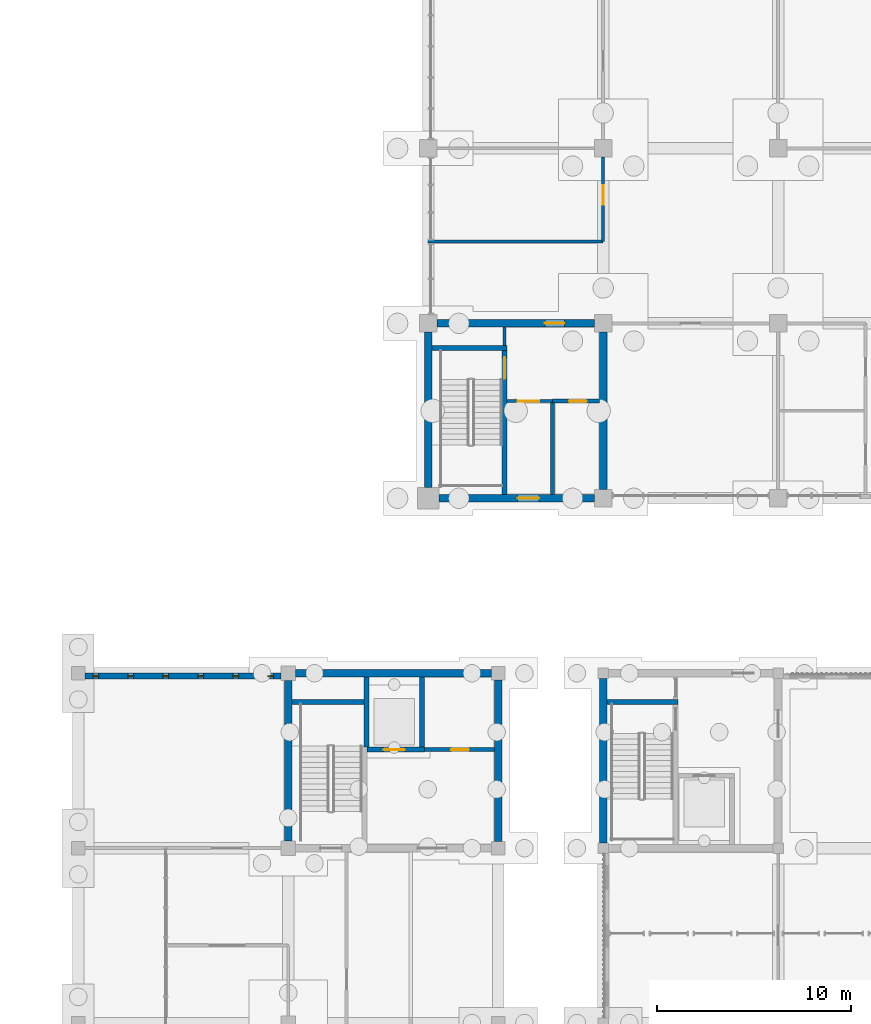
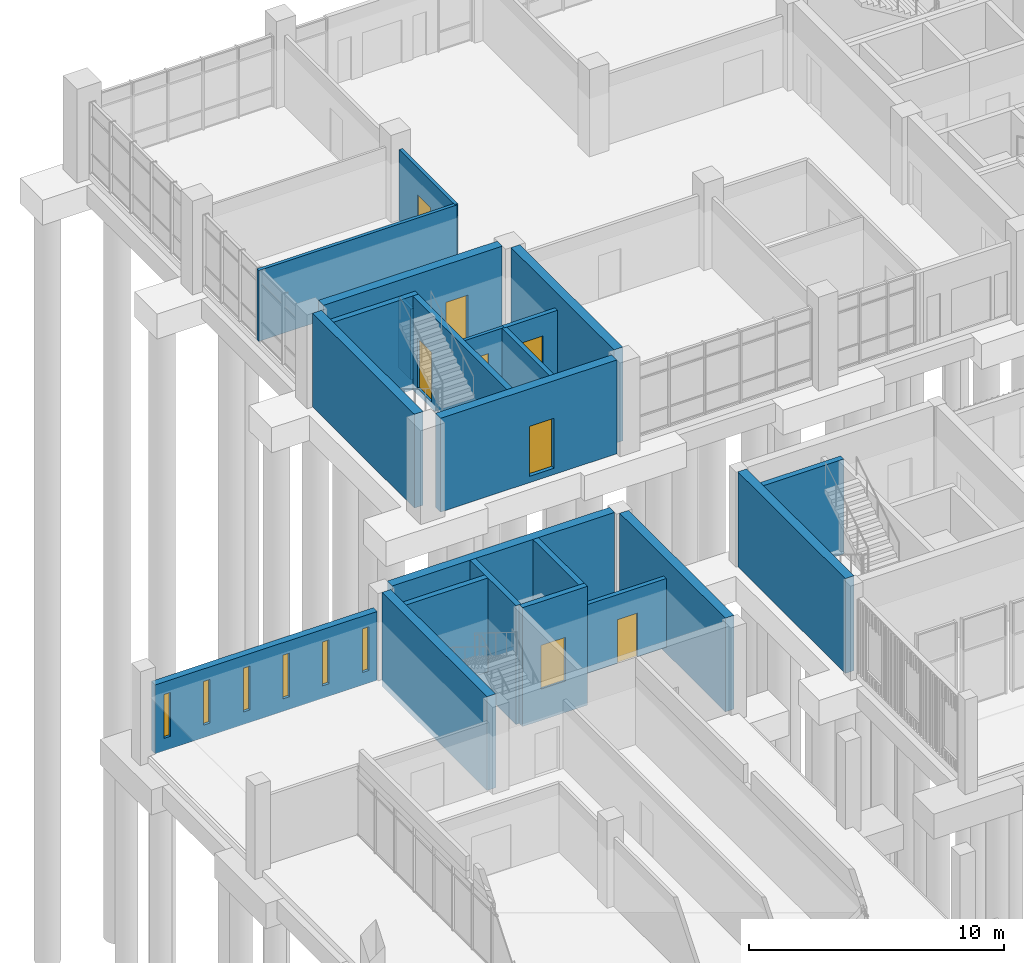
# One storey, part 77 of 106: 23 walls, 8 doors, 6 windows, 14 openings.
"""IFC4 building model written with IfcOpenShell, lengths in metres."""

from ifc_helpers import new_model, si_unit, direction, frame, frame_2d, origin, place, context, subcontext, project, spatial, rectangle, extrude, material, layer, layer_set, type_object, element, fill, save


model = new_model("IFC4")

# Units and contexts
model_context = context("Model", 3, precision=1e-05, world=origin(), true_north=direction((0.0, 1.0)))
body_context = subcontext(model_context, "Body", "Model", "MODEL_VIEW")
ifc_project = project(units=[si_unit("LENGTHUNIT", "METRE"), si_unit("AREAUNIT", "SQUARE_METRE"), si_unit("VOLUMEUNIT", "CUBIC_METRE"), si_unit("PLANEANGLEUNIT", "RADIAN"), si_unit("MASSUNIT", "GRAM", prefix="KILO")], contexts=[model_context])

# Site, building, storey
site_placement = place(None, origin())
site = spatial("IfcSite", under=ifc_project, at=site_placement, CompositionType="ELEMENT")
building_placement = place(site_placement, origin())
building = spatial("IfcBuilding", under=site, at=building_placement, Name="Merrow Basin Faculty of Sciences", CompositionType="ELEMENT")
storey_placement = place(building_placement, origin())
storey = spatial("IfcBuildingStorey", under=building, at=storey_placement, Name="L00", CompositionType="ELEMENT", Elevation=0.0)

# Wall
ifc_material_1 = material(Name="Fire-rated gypsum board")
ifc_layer_1 = layer(ifc_material_1, 0.14990234375)
ifc_layer_set_1 = layer_set([ifc_layer_1], Name="Corridor partition 150 fire-rated board on steel studs")
wall_type_1 = type_object("IfcWallType", Name="Corridor partition 150 fire-rated board on steel studs", PredefinedType="PARTITIONING", material=ifc_layer_set_1)
wall_1_placement = place(storey_placement, frame((21.925048828125, 149.85009765625, 0.0), z_axis=(0.0, 0.0, 1.0), x_axis=(0.0, 1.0, 0.0)))
element("IfcWall", 1, at=wall_1_placement, inside=storey, type_object=wall_type_1, Name="IW151 L00 003", PredefinedType="PARTITIONING", context=body_context, shape_type="SweptSolid", body=[
    extrude(rectangle(XDim=0.949951171875, YDim=0.14990234375, at=frame_2d((0.47509765625, 0.0))), origin(), (0.0, 0.0, 1.0), 3.39990234375),
])

# Wall, opening, door
wall_2_placement = place(storey_placement, frame((27.0, 155.199951171875, 0.0), z_axis=(0.0, 0.0, 1.0), x_axis=(0.0, 1.0, 0.0)))
wall_2 = element("IfcWall", 2, at=wall_2_placement, inside=storey, type_object=wall_type_1, Name="IW151 L00 005", PredefinedType="PARTITIONING", context=body_context, shape_type="SweptSolid", body=[
    extrude(rectangle(XDim=4.35009765625, YDim=0.14990234375, at=frame_2d((2.175048828125, 0.0))), origin(), (0.0, 0.0, 1.0), 3.39990234375),
])
opening_1_placement = place(wall_2_placement, frame((1.89990234375, 0.0, 0.0)))
opening_1 = element("IfcOpeningElement", 3, at=opening_1_placement, cuts=wall_2, Name="Opening D00T013", PredefinedType="OPENING", context=body_context, shape_type="SweptSolid", body=[
    extrude(rectangle(XDim=1.0, YDim=2.10009765625, at=frame_2d((0.5, 1.050048828125))), frame((0.0, 0.0849609375, 0.0), z_axis=(0.0, -1.0, 0.0), x_axis=(1.0, 0.0, 0.0)), (0.0, 0.0, 1.0), 0.169921875),
])
ifc_material_2 = material(Name="Timber door leaf", Category="wood")
door_type_1 = type_object("IfcDoorType", Name="Single swing door 1000 x 2100", OperationType="NOTDEFINED", PredefinedType="DOOR", material=ifc_material_2)
door_1_placement = place(opening_1_placement, origin())
door_1 = element("IfcDoor", 4, at=door_1_placement, inside=storey, type_object=door_type_1, Name="Door D00T013", OperationType="SINGLE_SWING_LEFT", OverallHeight=2.10009765625, OverallWidth=1.0, PredefinedType="DOOR", context=body_context, shape_type="SweptSolid", body=[
    extrude(rectangle(XDim=1.0, YDim=2.10009765625, at=frame_2d((0.5, 1.050048828125))), frame((0.0, 0.02490234375, 0.0), z_axis=(0.0, -1.0, 0.0), x_axis=(1.0, 0.0, 0.0)), (0.0, 0.0, 1.0), 0.050048828125),
])
fill(opening_1, door_1)

wall_3_placement = place(storey_placement, frame((22.050048828125, 147.0, 0.0), z_axis=(0.0, 0.0, 1.0), x_axis=(1.0, 0.0, 0.0)))
wall_3 = element("IfcWall", 5, at=wall_3_placement, inside=storey, type_object=wall_type_1, Name="IW151 L00 008", PredefinedType="PARTITIONING", context=body_context, shape_type="SweptSolid", body=[
    extrude(rectangle(XDim=2.349853515625, YDim=0.14990234375, at=frame_2d((1.1748046875, 0.0))), origin(), (0.0, 0.0, 1.0), 3.39990234375),
])
opening_2_placement = place(wall_3_placement, frame((0.550048828125, 0.0, 0.0)))
opening_2 = element("IfcOpeningElement", 6, at=opening_2_placement, cuts=wall_3, Name="Opening D00T008", PredefinedType="OPENING", context=body_context, shape_type="SweptSolid", body=[
    extrude(rectangle(XDim=1.10009765625, YDim=2.39990234375, at=frame_2d((0.550048828125, 1.199951171875))), frame((0.0, 0.0849609375, 0.0), z_axis=(0.0, -1.0, 0.0), x_axis=(1.0, 0.0, 0.0)), (0.0, 0.0, 1.0), 0.169921875),
])
ifc_material_3 = material(Name="Fire-rated steel door", Category="steel")
door_type_2 = type_object("IfcDoorType", Name="Fire door FD90 1100 x 2400", OperationType="NOTDEFINED", PredefinedType="DOOR", material=ifc_material_3)
door_2_placement = place(opening_2_placement, origin())
door_2 = element("IfcDoor", 7, at=door_2_placement, inside=storey, type_object=door_type_2, Name="Door D00T008", OperationType="SINGLE_SWING_LEFT", OverallHeight=2.39990234375, OverallWidth=1.10009765625, PredefinedType="DOOR", context=body_context, shape_type="SweptSolid", body=[
    extrude(rectangle(XDim=1.10009765625, YDim=2.39990234375, at=frame_2d((0.550048828125, 1.199951171875))), frame((0.0, 0.02490234375, 0.0), z_axis=(0.0, -1.0, 0.0), x_axis=(1.0, 0.0, 0.0)), (0.0, 0.0, 1.0), 0.050048828125),
])
fill(opening_2, door_2)

# Wall
wall_4_placement = place(storey_placement, frame((18.0, 155.199951171875, 0.0), z_axis=(0.0, 0.0, 1.0), x_axis=(1.0, 0.0, 0.0)))
element("IfcWall", 8, at=wall_4_placement, inside=storey, type_object=wall_type_1, Name="IW151 L00 013", PredefinedType="PARTITIONING", context=body_context, shape_type="SweptSolid", body=[
    extrude(rectangle(XDim=9.0, YDim=0.14990234375, at=frame_2d((4.5, 0.0))), origin(), (0.0, 0.0, 1.0), 3.39990234375),
])

# Wall, openings, windows
ifc_material_4 = material(Name="Precast concrete C40/50", Category="concrete")
ifc_layer_2 = layer(ifc_material_4, 0.300048828125)
ifc_layer_set_2 = layer_set([ifc_layer_2], Name="End wall 300 Precast concrete C40/50")
wall_type_2 = type_object("IfcWallType", Name="End wall 300 Precast concrete C40/50", PredefinedType="STANDARD", material=ifc_layer_set_2)
wall_5_placement = place(storey_placement, frame((10.425048828125, 132.85009765625, 0.0), z_axis=(0.0, 0.0, 1.0), x_axis=(-1.0, 0.0, 0.0)))
wall_5 = element("IfcWall", 9, at=wall_5_placement, inside=storey, type_object=wall_type_2, Name="North end wall 1", PredefinedType="STANDARD", context=body_context, shape_type="SweptSolid", body=[
    extrude(rectangle(XDim=10.074951171875, YDim=0.300048828125, at=frame_2d((5.03759765625, 0.0))), origin(), (0.0, 0.0, 1.0), 3.300048828125),
])
opening_3_placement = place(wall_5_placement, frame((9.375, 0.0, 0.60009765625)))
opening_3 = element("IfcOpeningElement", 10, at=opening_3_placement, cuts=wall_5, Name="Opening WN3", PredefinedType="OPENING", context=body_context, shape_type="SweptSolid", body=[
    extrude(rectangle(XDim=0.300048828125, YDim=2.10009765625, at=frame_2d((0.14990234375, 1.050048828125))), frame((0.0, 0.159912109375, 0.0), z_axis=(0.0, -1.0, 0.0), x_axis=(1.0, 0.0, 0.0)), (0.0, 0.0, 1.0), 0.320068359375),
])
opening_4_placement = place(wall_5_placement, frame((7.574951171875, 0.0, 0.60009765625)))
opening_4 = element("IfcOpeningElement", 11, at=opening_4_placement, cuts=wall_5, Name="Opening WN3", PredefinedType="OPENING", context=body_context, shape_type="SweptSolid", body=[
    extrude(rectangle(XDim=0.300048828125, YDim=2.10009765625, at=frame_2d((0.14990234375, 1.050048828125))), frame((0.0, 0.159912109375, 0.0), z_axis=(0.0, -1.0, 0.0), x_axis=(1.0, 0.0, 0.0)), (0.0, 0.0, 1.0), 0.320068359375),
])
opening_5_placement = place(wall_5_placement, frame((5.77490234375, 0.0, 0.60009765625)))
opening_5 = element("IfcOpeningElement", 12, at=opening_5_placement, cuts=wall_5, Name="Opening WN3", PredefinedType="OPENING", context=body_context, shape_type="SweptSolid", body=[
    extrude(rectangle(XDim=0.300048828125, YDim=2.10009765625, at=frame_2d((0.14990234375, 1.050048828125))), frame((0.0, 0.159912109375, 0.0), z_axis=(0.0, -1.0, 0.0), x_axis=(1.0, 0.0, 0.0)), (0.0, 0.0, 1.0), 0.320068359375),
])
opening_6_placement = place(wall_5_placement, frame((3.97509765625, 0.0, 0.60009765625)))
opening_6 = element("IfcOpeningElement", 13, at=opening_6_placement, cuts=wall_5, Name="Opening WN3", PredefinedType="OPENING", context=body_context, shape_type="SweptSolid", body=[
    extrude(rectangle(XDim=0.300048828125, YDim=2.10009765625, at=frame_2d((0.14990234375, 1.050048828125))), frame((0.0, 0.159912109375, 0.0), z_axis=(0.0, -1.0, 0.0), x_axis=(1.0, 0.0, 0.0)), (0.0, 0.0, 1.0), 0.320068359375),
])
opening_7_placement = place(wall_5_placement, frame((2.175048828125, 0.0, 0.60009765625)))
opening_7 = element("IfcOpeningElement", 14, at=opening_7_placement, cuts=wall_5, Name="Opening WN3", PredefinedType="OPENING", context=body_context, shape_type="SweptSolid", body=[
    extrude(rectangle(XDim=0.300048828125, YDim=2.10009765625, at=frame_2d((0.14990234375, 1.050048828125))), frame((0.0, 0.159912109375, 0.0), z_axis=(0.0, -1.0, 0.0), x_axis=(1.0, 0.0, 0.0)), (0.0, 0.0, 1.0), 0.320068359375),
])
opening_8_placement = place(wall_5_placement, frame((0.375, 0.0, 0.60009765625)))
opening_8 = element("IfcOpeningElement", 15, at=opening_8_placement, cuts=wall_5, Name="Opening WN3", PredefinedType="OPENING", context=body_context, shape_type="SweptSolid", body=[
    extrude(rectangle(XDim=0.300048828125, YDim=2.10009765625, at=frame_2d((0.14990234375, 1.050048828125))), frame((0.0, 0.159912109375, 0.0), z_axis=(0.0, -1.0, 0.0), x_axis=(1.0, 0.0, 0.0)), (0.0, 0.0, 1.0), 0.320068359375),
])
ifc_material_5 = material(Name="Low-E double glazing", Category="glass")
window_type = type_object("IfcWindowType", Name="Ground slot window 300 x 2100", PartitioningType="SINGLE_PANEL", PredefinedType="WINDOW", material=ifc_material_5)
window_1_placement = place(opening_3_placement, origin())
window_1 = element("IfcWindow", 16, at=window_1_placement, inside=storey, type_object=window_type, Name="North slot window L00", OverallHeight=2.10009765625, OverallWidth=0.300048828125, PartitioningType="SINGLE_PANEL", PredefinedType="WINDOW", context=body_context, shape_type="SweptSolid", body=[
    extrude(rectangle(XDim=0.300048828125, YDim=2.10009765625, at=frame_2d((0.14990234375, 1.050048828125))), frame((0.0, 0.030029296875, 0.0), z_axis=(0.0, -1.0, 0.0), x_axis=(1.0, 0.0, 0.0)), (0.0, 0.0, 1.0), 0.06005859375),
])
fill(opening_3, window_1)
window_2_placement = place(opening_4_placement, origin())
window_2 = element("IfcWindow", 17, at=window_2_placement, inside=storey, type_object=window_type, Name="North slot window L00", OverallHeight=2.10009765625, OverallWidth=0.300048828125, PartitioningType="SINGLE_PANEL", PredefinedType="WINDOW", context=body_context, shape_type="SweptSolid", body=[
    extrude(rectangle(XDim=0.300048828125, YDim=2.10009765625, at=frame_2d((0.14990234375, 1.050048828125))), frame((0.0, 0.030029296875, 0.0), z_axis=(0.0, -1.0, 0.0), x_axis=(1.0, 0.0, 0.0)), (0.0, 0.0, 1.0), 0.06005859375),
])
fill(opening_4, window_2)
window_3_placement = place(opening_5_placement, origin())
window_3 = element("IfcWindow", 18, at=window_3_placement, inside=storey, type_object=window_type, Name="North slot window L00", OverallHeight=2.10009765625, OverallWidth=0.300048828125, PartitioningType="SINGLE_PANEL", PredefinedType="WINDOW", context=body_context, shape_type="SweptSolid", body=[
    extrude(rectangle(XDim=0.300048828125, YDim=2.10009765625, at=frame_2d((0.14990234375, 1.050048828125))), frame((0.0, 0.030029296875, 0.0), z_axis=(0.0, -1.0, 0.0), x_axis=(1.0, 0.0, 0.0)), (0.0, 0.0, 1.0), 0.06005859375),
])
fill(opening_5, window_3)
window_4_placement = place(opening_6_placement, origin())
window_4 = element("IfcWindow", 19, at=window_4_placement, inside=storey, type_object=window_type, Name="North slot window L00", OverallHeight=2.10009765625, OverallWidth=0.300048828125, PartitioningType="SINGLE_PANEL", PredefinedType="WINDOW", context=body_context, shape_type="SweptSolid", body=[
    extrude(rectangle(XDim=0.300048828125, YDim=2.10009765625, at=frame_2d((0.14990234375, 1.050048828125))), frame((0.0, 0.030029296875, 0.0), z_axis=(0.0, -1.0, 0.0), x_axis=(1.0, 0.0, 0.0)), (0.0, 0.0, 1.0), 0.06005859375),
])
fill(opening_6, window_4)
window_5_placement = place(opening_7_placement, origin())
window_5 = element("IfcWindow", 20, at=window_5_placement, inside=storey, type_object=window_type, Name="North slot window L00", OverallHeight=2.10009765625, OverallWidth=0.300048828125, PartitioningType="SINGLE_PANEL", PredefinedType="WINDOW", context=body_context, shape_type="SweptSolid", body=[
    extrude(rectangle(XDim=0.300048828125, YDim=2.10009765625, at=frame_2d((0.14990234375, 1.050048828125))), frame((0.0, 0.030029296875, 0.0), z_axis=(0.0, -1.0, 0.0), x_axis=(1.0, 0.0, 0.0)), (0.0, 0.0, 1.0), 0.06005859375),
])
fill(opening_7, window_5)
window_6_placement = place(opening_8_placement, origin())
window_6 = element("IfcWindow", 21, at=window_6_placement, inside=storey, type_object=window_type, Name="North slot window L00", OverallHeight=2.10009765625, OverallWidth=0.300048828125, PartitioningType="SINGLE_PANEL", PredefinedType="WINDOW", context=body_context, shape_type="SweptSolid", body=[
    extrude(rectangle(XDim=0.300048828125, YDim=2.10009765625, at=frame_2d((0.14990234375, 1.050048828125))), frame((0.0, 0.030029296875, 0.0), z_axis=(0.0, -1.0, 0.0), x_axis=(1.0, 0.0, 0.0)), (0.0, 0.0, 1.0), 0.06005859375),
])
fill(opening_8, window_6)

# Wall, opening, door
ifc_material_6 = material(Name="Fire-rated gypsum board")
ifc_layer_3 = layer(ifc_material_6, 0.199951171875)
ifc_layer_set_3 = layer_set([ifc_layer_3], Name="Riser lining 200 fire-rated board on steel studs")
wall_type_3 = type_object("IfcWallType", Name="Riser lining 200 fire-rated board on steel studs", PredefinedType="PARTITIONING", material=ifc_layer_set_3)
wall_6_placement = place(storey_placement, frame((17.800048828125, 129.074951171875, 0.0), z_axis=(0.0, 0.0, 1.0), x_axis=(1.0, 0.0, 0.0)))
wall_6 = element("IfcWall", 22, at=wall_6_placement, inside=storey, type_object=wall_type_3, Name="IW200 L00 005", PredefinedType="PARTITIONING", context=body_context, shape_type="SweptSolid", body=[
    extrude(rectangle(XDim=3.599853515625, YDim=0.199951171875, at=frame_2d((1.7998046875, 0.0))), origin(), (0.0, 0.0, 1.0), 3.300048828125),
])
opening_9_placement = place(wall_6_placement, frame((1.387939453125, 0.0, 0.0)))
opening_9 = element("IfcOpeningElement", 23, at=opening_9_placement, cuts=wall_6, Name="Opening D00B013", PredefinedType="OPENING", context=body_context, shape_type="SweptSolid", body=[
    extrude(rectangle(XDim=0.89990234375, YDim=2.10009765625, at=frame_2d((0.449951171875, 1.050048828125))), frame((0.0, 0.10986328125, 0.0), z_axis=(0.0, -1.0, 0.0), x_axis=(1.0, 0.0, 0.0)), (0.0, 0.0, 1.0), 0.219970703125),
])
ifc_material_7 = material(Name="Fire-rated steel door", Category="steel")
door_type_3 = type_object("IfcDoorType", Name="Fire door FD60 900 x 2100", OperationType="NOTDEFINED", PredefinedType="DOOR", material=ifc_material_7)
door_3_placement = place(opening_9_placement, origin())
door_3 = element("IfcDoor", 24, at=door_3_placement, inside=storey, type_object=door_type_3, Name="Door D00B013", OperationType="SINGLE_SWING_RIGHT", OverallHeight=2.10009765625, OverallWidth=0.89990234375, PredefinedType="DOOR", context=body_context, shape_type="SweptSolid", body=[
    extrude(rectangle(XDim=0.89990234375, YDim=2.10009765625, at=frame_2d((0.449951171875, 1.050048828125))), frame((0.0, 0.02490234375, 0.0), z_axis=(0.0, -1.0, 0.0), x_axis=(1.0, 0.0, 0.0)), (0.0, 0.0, 1.0), 0.050048828125),
])
fill(opening_9, door_3)

# Wall
wall_7_placement = place(storey_placement, frame((24.39990234375, 142.199951171875, 0.0), z_axis=(0.0, 0.0, 1.0), x_axis=(0.0, 1.0, 0.0)))
element("IfcWall", 25, at=wall_7_placement, inside=storey, type_object=wall_type_3, Name="IW200 L00 001", PredefinedType="PARTITIONING", context=body_context, shape_type="SweptSolid", body=[
    extrude(rectangle(XDim=4.800048828125, YDim=0.199951171875, at=frame_2d((2.39990234375, 0.0))), origin(), (0.0, 0.0, 1.0), 3.39990234375),
])

# Wall, opening, door
wall_8_placement = place(storey_placement, frame((24.39990234375, 147.0, 0.0), z_axis=(0.0, 0.0, 1.0), x_axis=(1.0, 0.0, 0.0)))
wall_8 = element("IfcWall", 26, at=wall_8_placement, inside=storey, type_object=wall_type_3, Name="IW200 L00 002", PredefinedType="PARTITIONING", context=body_context, shape_type="SweptSolid", body=[
    extrude(rectangle(XDim=2.400146484375, YDim=0.199951171875, at=frame_2d((1.2001953125, 0.0))), origin(), (0.0, 0.0, 1.0), 3.39990234375),
])
opening_10_placement = place(wall_8_placement, frame((0.85009765625, 0.0, 0.0)))
opening_10 = element("IfcOpeningElement", 27, at=opening_10_placement, cuts=wall_8, Name="Opening D00T009", PredefinedType="OPENING", context=body_context, shape_type="SweptSolid", body=[
    extrude(rectangle(XDim=0.89990234375, YDim=2.39990234375, at=frame_2d((0.449951171875, 1.199951171875))), frame((0.0, 0.10986328125, 0.0), z_axis=(0.0, -1.0, 0.0), x_axis=(1.0, 0.0, 0.0)), (0.0, 0.0, 1.0), 0.219970703125),
])
ifc_material_8 = material(Name="Fire-rated steel door", Category="steel")
door_type_4 = type_object("IfcDoorType", Name="Fire door FD60 900 x 2400", OperationType="NOTDEFINED", PredefinedType="DOOR", material=ifc_material_8)
door_4_placement = place(opening_10_placement, origin())
door_4 = element("IfcDoor", 28, at=door_4_placement, inside=storey, type_object=door_type_4, Name="Door D00T009", OperationType="SINGLE_SWING_RIGHT", OverallHeight=2.39990234375, OverallWidth=0.89990234375, PredefinedType="DOOR", context=body_context, shape_type="SweptSolid", body=[
    extrude(rectangle(XDim=0.89990234375, YDim=2.39990234375, at=frame_2d((0.449951171875, 1.199951171875))), frame((0.0, 0.02490234375, 0.0), z_axis=(0.0, -1.0, 0.0), x_axis=(1.0, 0.0, 0.0)), (0.0, 0.0, 1.0), 0.050048828125),
])
fill(opening_10, door_4)

# Wall
ifc_material_9 = material(Name="Concrete C40/50", Category="concrete")
ifc_layer_4 = layer(ifc_material_9, 0.25)
ifc_layer_set_4 = layer_set([ifc_layer_4], Name="Shear wall 250 Concrete C40/50")
wall_type_4 = type_object("IfcWallType", Name="Shear wall 250 Concrete C40/50", PredefinedType="SHEAR", material=ifc_layer_set_4)
wall_9_placement = place(storey_placement, frame((11.0, 131.52490234375, -0.300048828125), z_axis=(0.0, 0.0, 1.0), x_axis=(1.0, 0.0, 0.0)))
element("IfcWall", 29, at=wall_9_placement, inside=storey, type_object=wall_type_4, Name="SW2 L00 019", PredefinedType="SHEAR", context=body_context, shape_type="SweptSolid", body=[
    extrude(rectangle(XDim=3.85009765625, YDim=0.25, at=frame_2d((1.925048828125, 0.0))), origin(), (0.0, 0.0, 1.0), 4.5),
])

# Wall, opening, door
wall_10_placement = place(storey_placement, frame((14.85009765625, 129.074951171875, -1.5), z_axis=(0.0, 0.0, 1.0), x_axis=(1.0, 0.0, 0.0)))
wall_10 = element("IfcWall", 30, at=wall_10_placement, inside=storey, type_object=wall_type_4, Name="SW2 L00 021", PredefinedType="SHEAR", context=body_context, shape_type="SweptSolid", body=[
    extrude(rectangle(XDim=2.949951171875, YDim=0.25, at=frame_2d((1.47509765625, 0.0))), origin(), (0.0, 0.0, 1.0), 5.699951171875),
])
opening_11_placement = place(wall_10_placement, frame((0.85009765625, 0.0, 1.5)))
opening_11 = element("IfcOpeningElement", 31, at=opening_11_placement, cuts=wall_10, Name="Opening LD00B02", PredefinedType="OPENING", context=body_context, shape_type="SweptSolid", body=[
    extrude(rectangle(XDim=1.10009765625, YDim=2.10009765625, at=frame_2d((0.550048828125, 1.050048828125))), frame((0.0, 0.135009765625, 0.0), z_axis=(0.0, -1.0, 0.0), x_axis=(1.0, 0.0, 0.0)), (0.0, 0.0, 1.0), 0.27001953125),
])
ifc_material_10 = material(Name="Stainless steel sliding door", Category="steel")
door_type_5 = type_object("IfcDoorType", Name="Lift landing door 1100 x 2100 sliding", OperationType="NOTDEFINED", PredefinedType="DOOR", material=ifc_material_10)
door_5_placement = place(opening_11_placement, origin())
door_5 = element("IfcDoor", 32, at=door_5_placement, inside=storey, type_object=door_type_5, Name="Landing door LF2 L00", OperationType="SLIDING_TO_LEFT", OverallHeight=2.10009765625, OverallWidth=1.10009765625, PredefinedType="DOOR", context=body_context, shape_type="SweptSolid", body=[
    extrude(rectangle(XDim=1.10009765625, YDim=2.10009765625, at=frame_2d((0.550048828125, 1.050048828125))), frame((0.0, 0.02490234375, 0.0), z_axis=(0.0, -1.0, 0.0), x_axis=(1.0, 0.0, 0.0)), (0.0, 0.0, 1.0), 0.050048828125),
])
fill(opening_11, door_5)

# Walls
for number, where, z_axis, x_axis, name in (
    (33, (14.824951171875, 129.199951171875, -1.5), (0.0, 0.0, 1.0), (0.0, 1.0, 0.0), "SW2 L00 022"),
    (34, (17.675048828125, 129.199951171875, -1.5), (0.0, 0.0, 1.0), (0.0, 1.0, 0.0), "SW2 L00 023"),
):
    element("IfcWall", number, at=place(storey_placement, frame(where, z_axis=z_axis, x_axis=x_axis)), inside=storey, type_object=wall_type_4, Name=name, PredefinedType="SHEAR", context=body_context, shape_type="SweptSolid", body=[
        extrude(rectangle(XDim=3.60009765625, YDim=0.25, at=frame_2d((1.800048828125, 0.0))), origin(), (0.0, 0.0, 1.0), 5.699951171875),
    ])
wall_11_placement = place(storey_placement, frame((27.199951171875, 131.52490234375, -0.300048828125), z_axis=(0.0, 0.0, 1.0), x_axis=(1.0, 0.0, 0.0)))
element("IfcWall", 35, at=wall_11_placement, inside=storey, type_object=wall_type_4, Name="SW2 L00 005", PredefinedType="SHEAR", context=body_context, shape_type="SweptSolid", body=[
    extrude(rectangle(XDim=3.650146484375, YDim=0.25, at=frame_2d((1.8251953125, 0.0))), origin(), (0.0, 0.0, 1.0), 4.550048828125),
])
ifc_material_11 = material(Name="Concrete C50/60", Category="concrete")
ifc_layer_5 = layer(ifc_material_11, 0.25)
ifc_layer_set_5 = layer_set([ifc_layer_5], Name="Shear wall 250 Concrete C50/60")
wall_type_5 = type_object("IfcWallType", Name="Shear wall 250 Concrete C50/60", PredefinedType="SHEAR", material=ifc_layer_set_5)
wall_12_placement = place(storey_placement, frame((18.199951171875, 149.72509765625, -0.300048828125), z_axis=(0.0, 0.0, 1.0), x_axis=(1.0, 0.0, 0.0)))
element("IfcWall", 36, at=wall_12_placement, inside=storey, type_object=wall_type_5, Name="SW4 L00 029", PredefinedType="SHEAR", context=body_context, shape_type="SweptSolid", body=[
    extrude(rectangle(XDim=3.85009765625, YDim=0.25, at=frame_2d((1.925048828125, 0.0))), origin(), (0.0, 0.0, 1.0), 4.5),
])

# Wall, opening, door
wall_13_placement = place(storey_placement, frame((21.925048828125, 142.199951171875, -0.300048828125), z_axis=(0.0, 0.0, 1.0), x_axis=(0.0, 1.0, 0.0)))
wall_13 = element("IfcWall", 37, at=wall_13_placement, inside=storey, type_object=wall_type_5, Name="SW4 L00 030", PredefinedType="SHEAR", context=body_context, shape_type="SweptSolid", body=[
    extrude(rectangle(XDim=7.400146484375, YDim=0.25, at=frame_2d((3.7001953125, 0.0))), origin(), (0.0, 0.0, 1.0), 4.5),
])
opening_12_placement = place(wall_13_placement, frame((5.949951171875, 0.0, 0.300048828125)))
opening_12 = element("IfcOpeningElement", 38, at=opening_12_placement, cuts=wall_13, Name="Opening D00T005", PredefinedType="OPENING", context=body_context, shape_type="SweptSolid", body=[
    extrude(rectangle(XDim=1.10009765625, YDim=2.39990234375, at=frame_2d((0.550048828125, 1.199951171875))), frame((0.0, 0.135009765625, 0.0), z_axis=(0.0, -1.0, 0.0), x_axis=(1.0, 0.0, 0.0)), (0.0, 0.0, 1.0), 0.27001953125),
])
door_6_placement = place(opening_12_placement, origin())
door_6 = element("IfcDoor", 39, at=door_6_placement, inside=storey, type_object=door_type_2, Name="Door D00T005", OperationType="SINGLE_SWING_RIGHT", OverallHeight=2.39990234375, OverallWidth=1.10009765625, PredefinedType="DOOR", context=body_context, shape_type="SweptSolid", body=[
    extrude(rectangle(XDim=1.10009765625, YDim=2.39990234375, at=frame_2d((0.550048828125, 1.199951171875))), frame((0.0, 0.02490234375, 0.0), z_axis=(0.0, -1.0, 0.0), x_axis=(1.0, 0.0, 0.0)), (0.0, 0.0, 1.0), 0.050048828125),
])
fill(opening_12, door_6)

# Walls
ifc_material_12 = material(Name="Concrete C40/50", Category="concrete")
ifc_layer_6 = layer(ifc_material_12, 0.39990234375)
ifc_layer_set_6 = layer_set([ifc_layer_6], Name="Shear wall 400 Concrete C40/50")
wall_type_6 = type_object("IfcWallType", Name="Shear wall 400 Concrete C40/50", PredefinedType="SHEAR", material=ifc_layer_set_6)
wall_14_placement = place(storey_placement, frame((11.175048828125, 133.0, -0.300048828125), z_axis=(0.0, 0.0, 1.0), x_axis=(1.0, 0.0, 0.0)))
element("IfcWall", 40, at=wall_14_placement, inside=storey, type_object=wall_type_6, Name="SW1 L00 016", PredefinedType="SHEAR", context=body_context, shape_type="SweptSolid", body=[
    extrude(rectangle(XDim=10.074951171875, YDim=0.39990234375, at=frame_2d((5.03759765625, 0.0))), origin(), (0.0, 0.0, 1.0), 4.5),
])
wall_15_placement = place(storey_placement, frame((10.800048828125, 124.375, -0.300048828125), z_axis=(0.0, 0.0, 1.0), x_axis=(0.0, 1.0, 0.0)))
element("IfcWall", 41, at=wall_15_placement, inside=storey, type_object=wall_type_6, Name="SW1 L00 017", PredefinedType="SHEAR", context=body_context, shape_type="SweptSolid", body=[
    extrude(rectangle(XDim=8.25, YDim=0.39990234375, at=frame_2d((4.125, 0.0))), origin(), (0.0, 0.0, 1.0), 4.5),
])
wall_16_placement = place(storey_placement, frame((21.60009765625, 124.35009765625, -0.300048828125), z_axis=(0.0, 0.0, 1.0), x_axis=(0.0, 1.0, 0.0)))
element("IfcWall", 42, at=wall_16_placement, inside=storey, type_object=wall_type_6, Name="SW1 L00 018", PredefinedType="SHEAR", context=body_context, shape_type="SweptSolid", body=[
    extrude(rectangle(XDim=8.2998046875, YDim=0.39990234375, at=frame_2d((4.14990234375, 0.0))), origin(), (0.0, 0.0, 1.0), 4.5),
])
wall_17_placement = place(storey_placement, frame((27.0, 124.27490234375, -0.300048828125), z_axis=(0.0, 0.0, 1.0), x_axis=(0.0, 1.0, 0.0)))
element("IfcWall", 43, at=wall_17_placement, inside=storey, type_object=wall_type_6, Name="SW1 L00 003", PredefinedType="SHEAR", context=body_context, shape_type="SweptSolid", body=[
    extrude(rectangle(XDim=8.4501953125, YDim=0.39990234375, at=frame_2d((4.22509765625, 0.0))), origin(), (0.0, 0.0, 1.0), 4.550048828125),
])

# Wall, opening, door
ifc_material_13 = material(Name="Concrete C50/60", Category="concrete")
ifc_layer_7 = layer(ifc_material_13, 0.39990234375)
ifc_layer_set_7 = layer_set([ifc_layer_7], Name="Shear wall 400 Concrete C50/60")
wall_type_7 = type_object("IfcWallType", Name="Shear wall 400 Concrete C50/60", PredefinedType="SHEAR", material=ifc_layer_set_7)
wall_18_placement = place(storey_placement, frame((18.550048828125, 142.0, -0.300048828125), z_axis=(0.0, 0.0, 1.0), x_axis=(1.0, 0.0, 0.0)))
wall_18 = element("IfcWall", 44, at=wall_18_placement, inside=storey, type_object=wall_type_7, Name="SW3 L00 025", PredefinedType="SHEAR", context=body_context, shape_type="SweptSolid", body=[
    extrude(rectangle(XDim=8.0, YDim=0.39990234375, at=frame_2d((4.0, 0.0))), origin(), (0.0, 0.0, 1.0), 4.5),
])
opening_13_placement = place(wall_18_placement, frame((4.050048828125, 0.0, 0.300048828125)))
opening_13 = element("IfcOpeningElement", 45, at=opening_13_placement, cuts=wall_18, Name="Opening D00T007", PredefinedType="OPENING", context=body_context, shape_type="SweptSolid", body=[
    extrude(rectangle(XDim=1.10009765625, YDim=2.39990234375, at=frame_2d((0.550048828125, 1.199951171875))), frame((0.0, 0.2099609375, 0.0), z_axis=(0.0, -1.0, 0.0), x_axis=(1.0, 0.0, 0.0)), (0.0, 0.0, 1.0), 0.419921875),
])
door_7_placement = place(opening_13_placement, frame((1.10009765625, 0.0, 0.0), z_axis=(0.0, 0.0, 1.0), x_axis=(-1.0, 0.0, 0.0)))
door_7 = element("IfcDoor", 46, at=door_7_placement, inside=storey, type_object=door_type_2, Name="Door D00T007", OperationType="SINGLE_SWING_RIGHT", OverallHeight=2.39990234375, OverallWidth=1.10009765625, PredefinedType="DOOR", context=body_context, shape_type="SweptSolid", body=[
    extrude(rectangle(XDim=1.10009765625, YDim=2.39990234375, at=frame_2d((0.550048828125, 1.199951171875))), frame((0.0, 0.02490234375, 0.0), z_axis=(0.0, -1.0, 0.0), x_axis=(1.0, 0.0, 0.0)), (0.0, 0.0, 1.0), 0.050048828125),
])
fill(opening_13, door_7)

wall_19_placement = place(storey_placement, frame((18.449951171875, 151.0, -0.300048828125), z_axis=(0.0, 0.0, 1.0), x_axis=(1.0, 0.0, 0.0)))
wall_19 = element("IfcWall", 47, at=wall_19_placement, inside=storey, type_object=wall_type_7, Name="SW3 L00 026", PredefinedType="SHEAR", context=body_context, shape_type="SweptSolid", body=[
    extrude(rectangle(XDim=8.10009765625, YDim=0.39990234375, at=frame_2d((4.050048828125, 0.0))), origin(), (0.0, 0.0, 1.0), 4.5),
])
opening_14_placement = place(wall_19_placement, frame((5.550048828125, 0.0, 0.300048828125)))
opening_14 = element("IfcOpeningElement", 48, at=opening_14_placement, cuts=wall_19, Name="Opening D00T006", PredefinedType="OPENING", context=body_context, shape_type="SweptSolid", body=[
    extrude(rectangle(XDim=1.0, YDim=2.39990234375, at=frame_2d((0.5, 1.199951171875))), frame((0.0, 0.2099609375, 0.0), z_axis=(0.0, -1.0, 0.0), x_axis=(1.0, 0.0, 0.0)), (0.0, 0.0, 1.0), 0.419921875),
])
ifc_material_14 = material(Name="Fire-rated steel door", Category="steel")
door_type_6 = type_object("IfcDoorType", Name="Fire door FD60 1000 x 2400", OperationType="NOTDEFINED", PredefinedType="DOOR", material=ifc_material_14)
door_8_placement = place(opening_14_placement, origin())
door_8 = element("IfcDoor", 49, at=door_8_placement, inside=storey, type_object=door_type_6, Name="Door D00T006", OperationType="SINGLE_SWING_RIGHT", OverallHeight=2.39990234375, OverallWidth=1.0, PredefinedType="DOOR", context=body_context, shape_type="SweptSolid", body=[
    extrude(rectangle(XDim=1.0, YDim=2.39990234375, at=frame_2d((0.5, 1.199951171875))), frame((0.0, 0.02490234375, 0.0), z_axis=(0.0, -1.0, 0.0), x_axis=(1.0, 0.0, 0.0)), (0.0, 0.0, 1.0), 0.050048828125),
])
fill(opening_14, door_8)

# Walls
wall_20_placement = place(storey_placement, frame((18.0, 142.550048828125, -0.300048828125), z_axis=(0.0, 0.0, 1.0), x_axis=(0.0, 1.0, 0.0)))
element("IfcWall", 50, at=wall_20_placement, inside=storey, type_object=wall_type_7, Name="SW3 L00 027", PredefinedType="SHEAR", context=body_context, shape_type="SweptSolid", body=[
    extrude(rectangle(XDim=8.0, YDim=0.39990234375, at=frame_2d((4.0, 0.0))), origin(), (0.0, 0.0, 1.0), 4.5),
])
wall_21_placement = place(storey_placement, frame((27.0, 142.449951171875, -0.300048828125), z_axis=(0.0, 0.0, 1.0), x_axis=(0.0, 1.0, 0.0)))
element("IfcWall", 51, at=wall_21_placement, inside=storey, type_object=wall_type_7, Name="SW3 L00 028", PredefinedType="SHEAR", context=body_context, shape_type="SweptSolid", body=[
    extrude(rectangle(XDim=8.10009765625, YDim=0.39990234375, at=frame_2d((4.050048828125, 0.0))), origin(), (0.0, 0.0, 1.0), 4.5),
])

save(model, "model.ifc")
